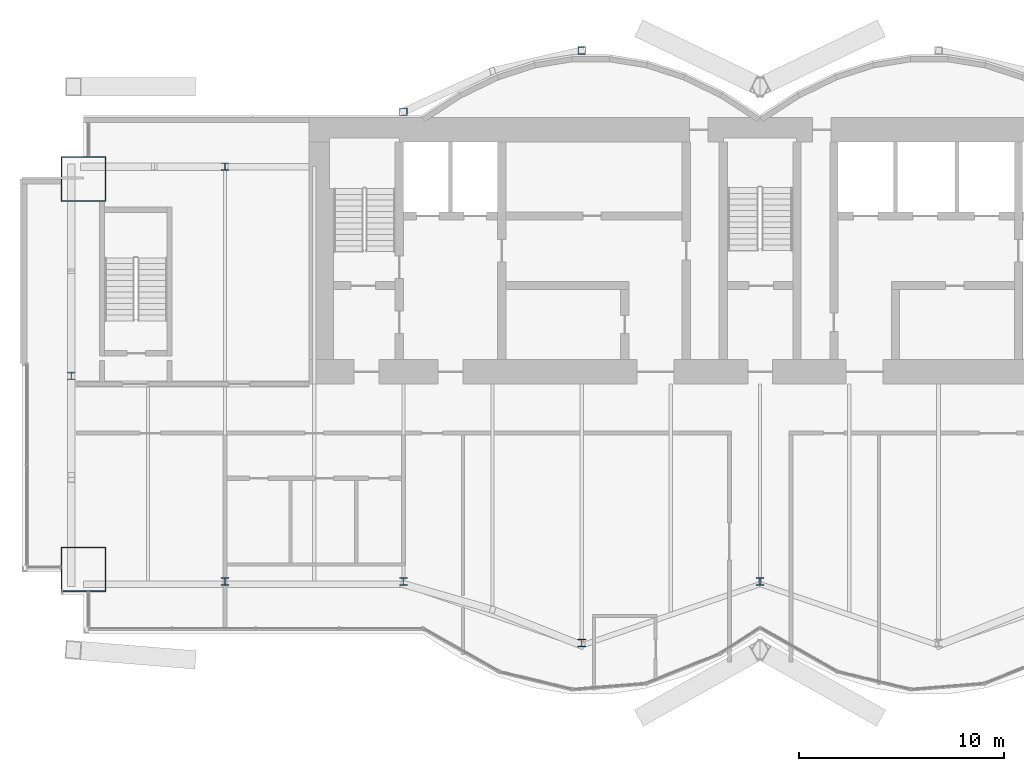
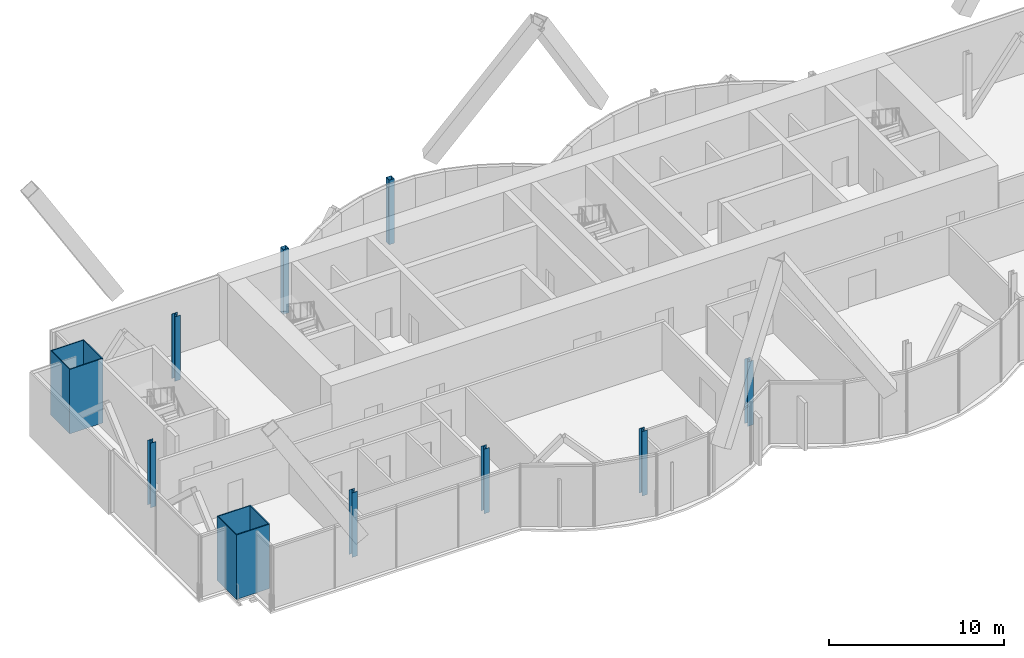
# One storey, part 1 of 17: 10 columns.
"""IFC4 building model written with IfcOpenShell, lengths in metres."""

from ifc_helpers import new_model, si_unit, direction, frame, origin, origin_2d, place, context, subcontext, project, spatial, hollow_rectangle, i_section, extrude, material, material_profile, profile_set, type_object, element, save


model = new_model("IFC4")

# Units and contexts
model_context = context("Model", 3, precision=1e-05, world=origin(), true_north=direction((0.0, 1.0)))
body_context = subcontext(model_context, "Body", "Model", "MODEL_VIEW")
ifc_project = project(units=[si_unit("LENGTHUNIT", "METRE"), si_unit("AREAUNIT", "SQUARE_METRE"), si_unit("VOLUMEUNIT", "CUBIC_METRE"), si_unit("PLANEANGLEUNIT", "RADIAN"), si_unit("MASSUNIT", "GRAM", prefix="KILO")], contexts=[model_context])

# Site, building, storey
site_placement = place(None, origin())
site = spatial("IfcSite", under=ifc_project, at=site_placement, CompositionType="ELEMENT")
building_placement = place(site_placement, origin())
building = spatial("IfcBuilding", under=site, at=building_placement, Name="Bicima Exchange Tower", CompositionType="ELEMENT")
storey_placement = place(building_placement, frame((0.0, 0.0, 333.5)))
storey = spatial("IfcBuildingStorey", under=building, at=storey_placement, Name="L75", CompositionType="ELEMENT", Elevation=333.5)

# Columns
ifc_material_1 = material(Name="Steel ASTM A572 Gr 50", Category="steel")
ifc_material_profile_1 = material_profile(ifc_material_1, hollow_rectangle(XDim=2.199951171875, YDim=2.199951171875, WallThickness=0.06005859375, at=origin_2d()))
ifc_profile_set_1 = profile_set([ifc_material_profile_1], Name="Steel ASTM A572 Gr 50")
column_type_1 = type_object("IfcColumnType", Name="Mega column BOX 2200x2200x60", PredefinedType="COLUMN", material=ifc_profile_set_1)
for number, where, z_axis, x_axis, name in (
    (1, (-33.0, -22.0419921875, 0.0), (0.0, 0.0, 1.0), (1.0, 0.0, 0.0), "Mega column mega-33.0f"),
    (2, (-33.0, -3.0, 0.0), (0.0, 0.0, 1.0), (1.0, 0.0, 0.0), "Mega column mega-33.0r"),
):
    element("IfcColumn", number, at=place(storey_placement, frame(where, z_axis=z_axis, x_axis=x_axis)), inside=storey, type_object=column_type_1, Name=name, PredefinedType="COLUMN", context=body_context, shape_type="SweptSolid", body=[
        extrude(hollow_rectangle(XDim=2.199951171875, YDim=2.199951171875, WallThickness=0.06005859375, at=origin_2d()), origin(), (0.0, 0.0, 1.0), 4.5),
    ])
ifc_material_2 = material(Name="Steel ASTM A992 Gr 50", Category="steel")
ifc_material_profile_2 = material_profile(ifc_material_2, i_section(OverallWidth=0.368408203125, OverallDepth=0.355712890625, WebThickness=0.01123046875, FlangeThickness=0.01806640625, at=origin_2d()))
ifc_profile_set_2 = profile_set([ifc_material_profile_2], Name="Steel ASTM A992 Gr 50")
column_type_2 = type_object("IfcColumnType", Name="Perimeter column W14x90", PredefinedType="COLUMN", material=ifc_profile_set_2)
for number, where, z_axis, x_axis, name in (
    (3, (-26.10009765625, -22.64208984375, 0.0), (0.0, 0.0, 1.0), (1.0, 0.0, 0.0), "Perimeter column grav-26.1f"),
    (4, (-26.10009765625, -2.39990234375, 0.0), (0.0, 0.0, 1.0), (1.0, 0.0, 0.0), "Perimeter column grav-26.1r"),
    (5, (-17.39990234375, -22.64208984375, 0.0), (0.0, 0.0, 1.0), (1.0, 0.0, 0.0), "Perimeter column grav-17.4f"),
    (6, (-8.699951171875, -25.633056640625, 0.0), (0.0, 0.0, 1.0), (1.0, 0.0, 0.0), "Perimeter column grav-8.7f"),
    (7, (0.0, -22.64208984375, 0.0), (0.0, 0.0, 1.0), (1.0, 0.0, 0.0), "Perimeter column grav-0.0f"),
    (8, (-33.60009765625, -12.60009765625, 0.0), (0.0, 0.0, 1.0), (1.0, 0.0, 0.0), "End column end-33.6e"),
):
    element("IfcColumn", number, at=place(storey_placement, frame(where, z_axis=z_axis, x_axis=x_axis)), inside=storey, type_object=column_type_2, Name=name, PredefinedType="COLUMN", context=body_context, shape_type="SweptSolid", body=[
        extrude(i_section(OverallWidth=0.368408203125, OverallDepth=0.355712890625, WebThickness=0.01123046875, FlangeThickness=0.01806640625, at=origin_2d()), origin(), (0.0, 0.0, 1.0), 4.5),
    ])
ifc_material_profile_3 = material_profile(ifc_material_1, hollow_rectangle(XDim=0.355712890625, YDim=0.355712890625, WallThickness=0.01171875, at=origin_2d()))
ifc_profile_set_3 = profile_set([ifc_material_profile_3], Name="Steel ASTM A572 Gr 50")
column_type_3 = type_object("IfcColumnType", Name="Rear pilaster HSS14x14x1/2", PredefinedType="COLUMN", material=ifc_profile_set_3)
for number, where, z_axis, x_axis, name in (
    (9, (-8.699951171875, 3.26904296875, 0.0), (0.0, 0.0, 1.0), (1.0, 0.0, 0.0), "Rear pilaster rexo-8.7r"),
    (10, (-17.39990234375, 0.278076171875, 0.0), (0.0, 0.0, 1.0), (1.0, 0.0, 0.0), "Rear pilaster rexo-17.4r"),
):
    element("IfcColumn", number, at=place(storey_placement, frame(where, z_axis=z_axis, x_axis=x_axis)), inside=storey, type_object=column_type_3, Name=name, PredefinedType="COLUMN", context=body_context, shape_type="SweptSolid", body=[
        extrude(hollow_rectangle(XDim=0.355712890625, YDim=0.355712890625, WallThickness=0.01171875, at=origin_2d()), origin(), (0.0, 0.0, 1.0), 4.5),
    ])

save(model, "model.ifc")
